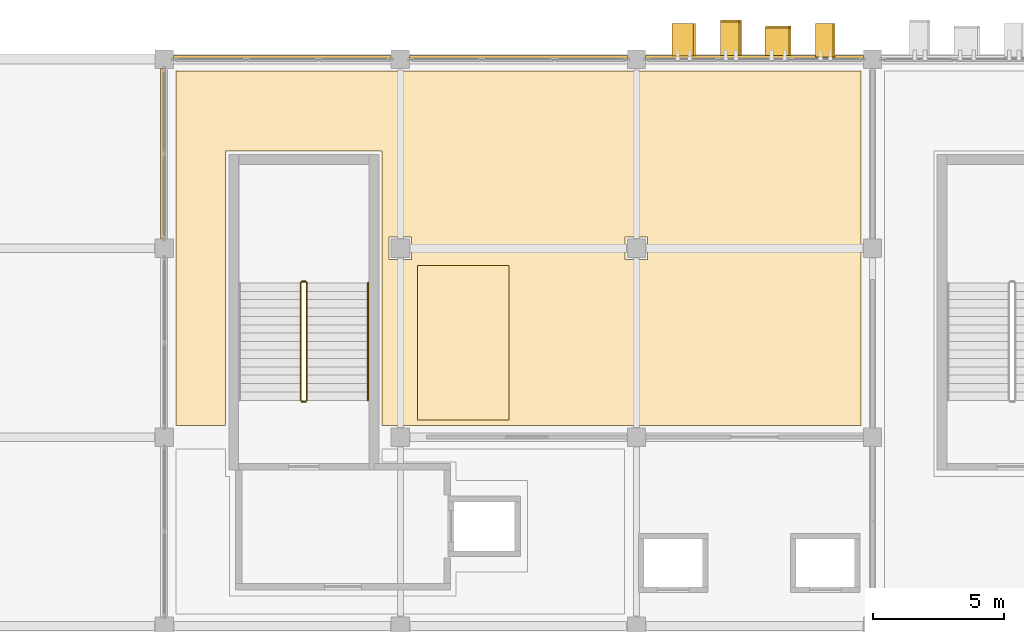
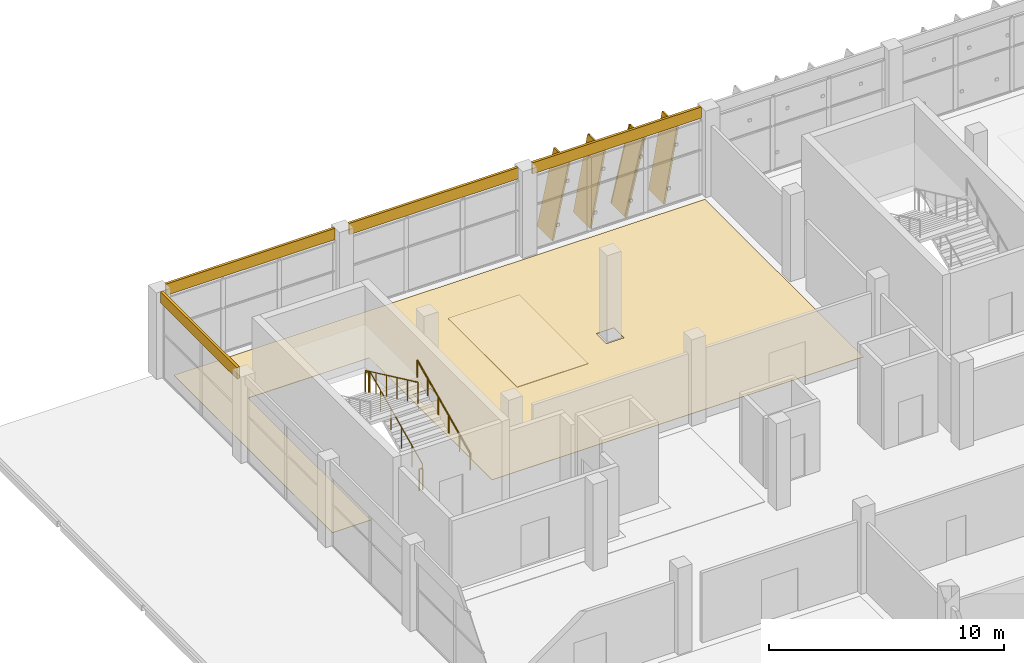
# One storey, part 139 of 151: 10 coverings, 5 railings, 4 shading devices.
"""IFC4 building model written with IfcOpenShell, lengths in metres."""

from ifc_helpers import new_model, si_unit, direction, frame, origin, origin_2d, place, context, subcontext, project, spatial, polyline, rectangle, circle, outline, extrude, material, layer, layer_set, material_profile, profile_set, type_object, element, save


model = new_model("IFC4")

# Units and contexts
model_context = context("Model", 3, precision=1e-05, world=origin(), true_north=direction((0.0, 1.0)))
body_context = subcontext(model_context, "Body", "Model", "MODEL_VIEW")
ifc_project = project(units=[si_unit("LENGTHUNIT", "METRE"), si_unit("AREAUNIT", "SQUARE_METRE"), si_unit("VOLUMEUNIT", "CUBIC_METRE"), si_unit("PLANEANGLEUNIT", "RADIAN"), si_unit("MASSUNIT", "GRAM", prefix="KILO")], contexts=[model_context])

# Site, building, storey
site_placement = place(None, origin())
site = spatial("IfcSite", under=ifc_project, at=site_placement, CompositionType="ELEMENT")
building_placement = place(site_placement, origin())
building = spatial("IfcBuilding", under=site, at=building_placement, Name="Celestram Park Convention Centre", CompositionType="ELEMENT")
storey_placement = place(building_placement, frame((0.0, 0.0, 10.800048828125)))
storey = spatial("IfcBuildingStorey", under=building, at=storey_placement, Name="L02", CompositionType="ELEMENT", Elevation=10.800048828125)

# Coverings
ifc_material_1 = material(Name="Anodised Bronze Aluminium Spandrel Cladding", Category="aluminium")
ifc_layer_1 = layer(ifc_material_1, 0.050048828125)
ifc_layer_set_1 = layer_set([ifc_layer_1], Name="Anodised Bronze Aluminium Spandrel Cladding")
covering_type_1 = type_object("IfcCoveringType", Name="ARC-COV-CLD060", PredefinedType="CLADDING", material=ifc_layer_set_1)
covering_1_placement = place(storey_placement, frame((35.919921875, 162.0, 3.9140625), z_axis=(0.0, 0.0, 1.0), x_axis=(0.0, 1.0, 0.0)))
element("IfcCovering", 1, at=covering_1_placement, inside=storey, type_object=covering_type_1, Name="Bronze spandrel cladding CL-L02-149", PredefinedType="CLADDING", context=body_context, shape_type="SweptSolid", body=[
    extrude(rectangle(XDim=6.50390625, YDim=0.1201171875, at=origin_2d()), origin(), (0.0, 0.0, 1.0), 0.5859375),
])
for number, where, z_axis, x_axis, name in (
    (2, (40.5, 165.679931640625, 3.9140625), (0.0, 0.0, 1.0), (1.0, 0.0, 0.0), "Bronze spandrel cladding CL-L02-150"),
    (3, (49.5, 165.679931640625, 3.9140625), (0.0, 0.0, 1.0), (1.0, 0.0, 0.0), "Bronze spandrel cladding CL-L02-151"),
    (4, (58.5, 165.679931640625, 3.9140625), (0.0, 0.0, 1.0), (1.0, 0.0, 0.0), "Bronze spandrel cladding CL-L02-152"),
):
    element("IfcCovering", number, at=place(storey_placement, frame(where, z_axis=z_axis, x_axis=x_axis)), inside=storey, type_object=covering_type_1, Name=name, PredefinedType="CLADDING", context=body_context, shape_type="SweptSolid", body=[
        extrude(rectangle(XDim=8.303955078125, YDim=0.1201171875, at=origin_2d()), origin(), (0.0, 0.0, 1.0), 0.5859375),
    ])
ifc_material_2 = material(Name="Perforated Acoustic Mineral-Fibre Baffle Ceiling", Category="gypsum")
ifc_layer_2 = layer(ifc_material_2, 0.0400390625)
ifc_layer_set_2 = layer_set([ifc_layer_2], Name="Perforated Acoustic Mineral-Fibre Baffle Ceiling")
covering_type_2 = type_object("IfcCoveringType", Name="ARC-COV-CLG040", PredefinedType="CEILING", material=ifc_layer_set_2)
covering_2_placement = place(storey_placement, frame((0.0, 0.0, 4.2099609375)))
element("IfcCovering", 5, at=covering_2_placement, inside=storey, type_object=covering_type_2, Name="Symposium Hall 204 acoustic baffle ceiling", PredefinedType="CEILING", context=body_context, shape_type="SweptSolid", body=[
    extrude(outline(polyline([(45.64990234375, 151.85009765625), (49.14990234375, 151.85009765625), (49.14990234375, 157.75), (45.64990234375, 157.75), (45.64990234375, 151.85009765625)])), origin(), (0.0, 0.0, 1.0), 0.0400390625),
])
ifc_material_3 = material(Name="Timber-Toned Anodised Aluminium Alloy 6063-T6", Category="wood")
ifc_material_profile_1 = material_profile(ifc_material_3, rectangle(XDim=1.1201171875, YDim=0.090087890625, at=origin_2d()), Name="REED1120X90")
ifc_profile_set_1 = profile_set([ifc_material_profile_1], Name="Timber-Toned Anodised Aluminium Alloy 6063-T6")
covering_type_3 = type_object("IfcCoveringType", Name="ARC-COV-FIN1120", PredefinedType="CLADDING", material=ifc_profile_set_1)
covering_3_placement = place(storey_placement, frame((58.949951171875, 166.239990234375, 0.057861328125), z_axis=(0.231767829396, 0.0, 0.972771130974), x_axis=(0.0, 1.0, 0.0)))
element("IfcCovering", 6, at=covering_3_placement, inside=storey, type_object=covering_type_3, Name="Leaning timber-toned reed fin RFN-L02-0462", PredefinedType="CLADDING", context=body_context, shape_type="SweptSolid", body=[
    extrude(rectangle(XDim=1.1201171875, YDim=0.090087890625, at=origin_2d()), origin(), (0.0, 0.0, 1.0), 3.8837890625),
])
ifc_material_profile_2 = material_profile(ifc_material_3, rectangle(XDim=1.280029296875, YDim=0.090087890625, at=origin_2d()), Name="REED1280X90")
ifc_profile_set_2 = profile_set([ifc_material_profile_2], Name="Timber-Toned Anodised Aluminium Alloy 6063-T6")
covering_type_4 = type_object("IfcCoveringType", Name="ARC-COV-FIN1280", PredefinedType="CLADDING", material=ifc_profile_set_2)
for number, where, z_axis, x_axis, name in (
    (7, (55.392822265625, 166.320068359375, 0.048095703125), (0.209623524504, 0.0, 0.97778217307), (0.0, 1.0, 0.0), "Leaning timber-toned reed fin RFN-L02-0460"),
    (8, (60.869384765625, 166.320068359375, 0.033203125), (0.170216329286, 0.0, 0.985406718693), (0.0, 1.0, 0.0), "Leaning timber-toned reed fin RFN-L02-0463"),
):
    element("IfcCovering", number, at=place(storey_placement, frame(where, z_axis=z_axis, x_axis=x_axis)), inside=storey, type_object=covering_type_4, Name=name, PredefinedType="CLADDING", context=body_context, shape_type="SweptSolid", body=[
        extrude(rectangle(XDim=1.280029296875, YDim=0.090087890625, at=origin_2d()), origin(), (0.0, 0.0, 1.0), 3.884033203125),
    ])
ifc_material_profile_3 = material_profile(ifc_material_3, rectangle(XDim=1.419921875, YDim=0.090087890625, at=origin_2d()), Name="REED1420X90")
ifc_profile_set_3 = profile_set([ifc_material_profile_3], Name="Timber-Toned Anodised Aluminium Alloy 6063-T6")
covering_type_5 = type_object("IfcCoveringType", Name="ARC-COV-FIN1420", PredefinedType="CLADDING", material=ifc_profile_set_3)
covering_4_placement = place(storey_placement, frame((57.24951171875, 166.389892578125, 0.036865234375), z_axis=(0.180533625065, 0.0, 0.98356881316), x_axis=(0.0, 1.0, 0.0)))
element("IfcCovering", 9, at=covering_4_placement, inside=storey, type_object=covering_type_5, Name="Leaning timber-toned reed fin RFN-L02-0461", PredefinedType="CLADDING", context=body_context, shape_type="SweptSolid", body=[
    extrude(rectangle(XDim=1.419921875, YDim=0.090087890625, at=origin_2d()), origin(), (0.0, 0.0, 1.0), 3.8837890625),
])
ifc_material_4 = material(Name="Polished Lakefront Aggregate Terrazzo Flooring", Category="concrete")
ifc_layer_3 = layer(ifc_material_4, 0.02001953125)
ifc_layer_set_3 = layer_set([ifc_layer_3], Name="Polished Lakefront Aggregate Terrazzo Flooring")
covering_type_6 = type_object("IfcCoveringType", Name="ARC-COV-FLR020", PredefinedType="FLOORING", material=ifc_layer_set_3)
covering_5_placement = place(storey_placement, origin())
element("IfcCovering", 10, at=covering_5_placement, inside=storey, type_object=covering_type_6, Name="Symposium Hall 204 terrazzo flooring", PredefinedType="FLOORING", context=body_context, shape_type="SweptSolid", body=[
    extrude(outline(polyline([(62.550048828125, 165.14990234375), (62.550048828125, 151.64990234375), (44.300048828125, 151.64990234375), (44.300048828125, 162.10009765625), (38.340087890625, 162.10009765625), (38.340087890625, 151.64990234375), (36.449951171875, 151.64990234375), (36.449951171875, 165.14990234375), (62.550048828125, 165.14990234375)]), holes=[polyline([(45.427978515625, 158.827880859375), (44.572021484375, 158.827880859375), (44.572021484375, 157.971923828125), (45.427978515625, 157.971923828125), (45.427978515625, 158.827880859375)]), polyline([(54.427978515625, 158.827880859375), (53.572021484375, 158.827880859375), (53.572021484375, 157.971923828125), (54.427978515625, 157.971923828125), (54.427978515625, 158.827880859375)])]), origin(), (0.0, 0.0, 1.0), 0.02001953125),
])

# Shading devices
ifc_material_5 = material(Name="Anodised Bronze Aluminium Alloy 6063-T6", Category="aluminium")
ifc_material_profile_4 = material_profile(ifc_material_5, rectangle(XDim=1.280029296875, YDim=0.080078125, at=origin_2d()), Name="FIN1280X80")
ifc_profile_set_4 = profile_set([ifc_material_profile_4], Name="Anodised Bronze Aluminium Alloy 6063-T6")
shading_device_type = type_object("IfcShadingDeviceType", Name="ARC-FIN-BZ1280", PredefinedType="USERDEFINED", material=ifc_profile_set_4)
shading_device_1_placement = place(storey_placement, frame((55.392822265625, 166.320068359375, 0.048095703125), z_axis=(0.209623524504, 0.0, 0.97778217307), x_axis=(0.0, 1.0, 0.0)))
element("IfcShadingDevice", 11, at=shading_device_1_placement, inside=storey, type_object=shading_device_type, Name="Expressive solar fin FN-L02-0460", ObjectType="SOLAR_FIN", PredefinedType="USERDEFINED", context=body_context, shape_type="SweptSolid", body=[
    extrude(rectangle(XDim=1.280029296875, YDim=0.080078125, at=origin_2d()), origin(), (0.0, 0.0, 1.0), 3.884033203125),
])
for number, where, z_axis, x_axis, name in (
    (12, (57.24951171875, 166.389892578125, 0.036865234375), (0.180533625065, 0.0, 0.98356881316), (0.0, 1.0, 0.0), "Expressive solar fin FN-L02-0461"),
    (13, (58.949951171875, 166.239990234375, 0.057861328125), (0.231767829396, 0.0, 0.972771130974), (0.0, 1.0, 0.0), "Expressive solar fin FN-L02-0462"),
):
    element("IfcShadingDevice", number, at=place(storey_placement, frame(where, z_axis=z_axis, x_axis=x_axis)), inside=storey, type_object=shading_device_type, Name=name, ObjectType="SOLAR_FIN", PredefinedType="USERDEFINED", context=body_context, shape_type="SweptSolid", body=[
        extrude(rectangle(XDim=1.280029296875, YDim=0.080078125, at=origin_2d()), origin(), (0.0, 0.0, 1.0), 3.8837890625),
    ])
shading_device_2_placement = place(storey_placement, frame((60.869384765625, 166.320068359375, 0.033203125), z_axis=(0.170216329286, 0.0, 0.985406718693), x_axis=(0.0, 1.0, 0.0)))
element("IfcShadingDevice", 14, at=shading_device_2_placement, inside=storey, type_object=shading_device_type, Name="Expressive solar fin FN-L02-0463", ObjectType="SOLAR_FIN", PredefinedType="USERDEFINED", context=body_context, shape_type="SweptSolid", body=[
    extrude(rectangle(XDim=1.280029296875, YDim=0.080078125, at=origin_2d()), origin(), (0.0, 0.0, 1.0), 3.884033203125),
])

# Railings
ifc_material_6 = material(Name="Stainless Steel AISI 316L & Laminated Glass", Category="steel")
ifc_layer_4 = layer(ifc_material_6, 0.06005859375)
ifc_layer_set_4 = layer_set([ifc_layer_4], Name="Stainless Steel AISI 316L & Laminated Glass")
railing_type_1 = type_object("IfcRailingType", Name="ARC-RL-GRD1120", PredefinedType="GUARDRAIL", material=ifc_layer_set_4)
railing_1_placement = place(storey_placement, frame((41.43603515625, 152.60009765625, 0.14990234375)))
element("IfcRailing", 15, at=railing_1_placement, inside=storey, type_object=railing_type_1, Name="L02 ST-01 stair guard 1", PredefinedType="GUARDRAIL", context=body_context, shape_type="SweptSolid", body=[
    extrude(circle(Radius=0.02392578125, at=origin_2d()), frame((0.0, 0.0, 1.09619140625), z_axis=(0.0, 0.905450639465, 0.424451574969), x_axis=(-1.0, 0.0, 0.0)), (0.0, 0.0, 1.0), 4.94775390625),
    extrude(circle(Radius=0.02099609375, at=origin_2d()), origin(), (0.0, 0.0, 1.0), 1.072021484375),
    extrude(circle(Radius=0.02099609375, at=origin_2d()), frame((0.0, 0.89599609375, 0.419921875)), (0.0, 0.0, 1.0), 1.072021484375),
    extrude(circle(Radius=0.02099609375, at=origin_2d()), frame((0.0, 1.7919921875, 0.840087890625)), (0.0, 0.0, 1.0), 1.072021484375),
    extrude(circle(Radius=0.02099609375, at=origin_2d()), frame((0.0, 2.68798828125, 1.260009765625)), (0.0, 0.0, 1.0), 1.072021484375),
    extrude(circle(Radius=0.02099609375, at=origin_2d()), frame((0.0, 3.583984375, 1.68017578125)), (0.0, 0.0, 1.0), 1.072021484375),
    extrude(circle(Radius=0.02099609375, at=origin_2d()), frame((0.0, 4.47998046875, 2.10009765625)), (0.0, 0.0, 1.0), 1.072021484375),
])
railing_2_placement = place(storey_placement, frame((41.39990234375, 157.1298828125, 2.25)))
element("IfcRailing", 16, at=railing_2_placement, inside=storey, type_object=railing_type_1, Name="L02 ST-01 stair guard 2", PredefinedType="GUARDRAIL", context=body_context, shape_type="SweptSolid", body=[
    extrude(circle(Radius=0.02392578125, at=origin_2d()), frame((0.0, 0.0, 1.09619140625), z_axis=(-1.0, 0.0, 0.0), x_axis=(0.0, -1.0, 0.0)), (0.0, 0.0, 1.0), 0.159912109375),
    extrude(circle(Radius=0.02099609375, at=origin_2d()), origin(), (0.0, 0.0, 1.0), 1.072021484375),
    extrude(circle(Radius=0.02099609375, at=origin_2d()), frame((-0.159912109375, 0.0, 0.0)), (0.0, 0.0, 1.0), 1.072021484375),
])
railing_3_placement = place(storey_placement, frame((41.2041015625, 157.080078125, 2.39990234375)))
element("IfcRailing", 17, at=railing_3_placement, inside=storey, type_object=railing_type_1, Name="L02 ST-01 stair guard 3", PredefinedType="GUARDRAIL", context=body_context, shape_type="SweptSolid", body=[
    extrude(circle(Radius=0.02392578125, at=origin_2d()), frame((0.0, 0.0, 1.09619140625), z_axis=(0.0, -0.905450639465, 0.424451574969), x_axis=(1.0, 0.0, 0.0)), (0.0, 0.0, 1.0), 4.94775390625),
    extrude(circle(Radius=0.02099609375, at=origin_2d()), origin(), (0.0, 0.0, 1.0), 1.072021484375),
    extrude(circle(Radius=0.02099609375, at=origin_2d()), frame((0.0, -0.89599609375, 0.419921875)), (0.0, 0.0, 1.0), 1.072021484375),
    extrude(circle(Radius=0.02099609375, at=origin_2d()), frame((0.0, -1.7919921875, 0.840087890625)), (0.0, 0.0, 1.0), 1.072021484375),
    extrude(circle(Radius=0.02099609375, at=origin_2d()), frame((0.0, -2.68798828125, 1.260009765625)), (0.0, 0.0, 1.0), 1.072021484375),
    extrude(circle(Radius=0.02099609375, at=origin_2d()), frame((0.0, -3.583984375, 1.68017578125)), (0.0, 0.0, 1.0), 1.072021484375),
    extrude(circle(Radius=0.02099609375, at=origin_2d()), frame((0.0, -4.47998046875, 2.10009765625)), (0.0, 0.0, 1.0), 1.072021484375),
])
railing_4_placement = place(storey_placement, frame((41.39990234375, 152.550048828125, 0.0)))
element("IfcRailing", 18, at=railing_4_placement, inside=storey, type_object=railing_type_1, Name="L02 ST-01 stair guard 4", PredefinedType="GUARDRAIL", context=body_context, shape_type="SweptSolid", body=[
    extrude(circle(Radius=0.02392578125, at=origin_2d()), frame((0.0, 0.0, 1.09619140625), z_axis=(-1.0, 0.0, 0.0), x_axis=(0.0, -1.0, 0.0)), (0.0, 0.0, 1.0), 0.159912109375),
    extrude(circle(Radius=0.02099609375, at=origin_2d()), origin(), (0.0, 0.0, 1.0), 1.072021484375),
    extrude(circle(Radius=0.02099609375, at=origin_2d()), frame((-0.159912109375, 0.0, 0.0)), (0.0, 0.0, 1.0), 1.072021484375),
])
ifc_material_7 = material(Name="Brushed Stainless Steel AISI 304", Category="steel")
ifc_layer_5 = layer(ifc_material_7, 0.048095703125)
ifc_layer_set_5 = layer_set([ifc_layer_5], Name="Brushed Stainless Steel AISI 304")
railing_type_2 = type_object("IfcRailingType", Name="ARC-RL-HND915", PredefinedType="HANDRAIL", material=ifc_layer_set_5)
railing_5_placement = place(storey_placement, frame((43.763916015625, 152.60009765625, 0.14990234375)))
element("IfcRailing", 19, at=railing_5_placement, inside=storey, type_object=railing_type_2, Name="L02 ST-01 stair handrail 1", PredefinedType="HANDRAIL", context=body_context, shape_type="SweptSolid", body=[
    extrude(circle(Radius=0.02392578125, at=origin_2d()), frame((0.0, 0.0, 0.8759765625), z_axis=(0.0, 0.905450639465, 0.424451574969), x_axis=(-1.0, 0.0, 0.0)), (0.0, 0.0, 1.0), 4.94775390625),
    extrude(circle(Radius=0.02099609375, at=origin_2d()), origin(), (0.0, 0.0, 1.0), 0.851806640625),
    extrude(circle(Radius=0.02099609375, at=origin_2d()), frame((0.0, 0.89599609375, 0.419921875)), (0.0, 0.0, 1.0), 0.851806640625),
    extrude(circle(Radius=0.02099609375, at=origin_2d()), frame((0.0, 1.7919921875, 0.840087890625)), (0.0, 0.0, 1.0), 0.851806640625),
    extrude(circle(Radius=0.02099609375, at=origin_2d()), frame((0.0, 2.68798828125, 1.260009765625)), (0.0, 0.0, 1.0), 0.851806640625),
    extrude(circle(Radius=0.02099609375, at=origin_2d()), frame((0.0, 3.583984375, 1.68017578125)), (0.0, 0.0, 1.0), 0.851806640625),
    extrude(circle(Radius=0.02099609375, at=origin_2d()), frame((0.0, 4.47998046875, 2.10009765625)), (0.0, 0.0, 1.0), 0.851806640625),
])

save(model, "model.ifc")
